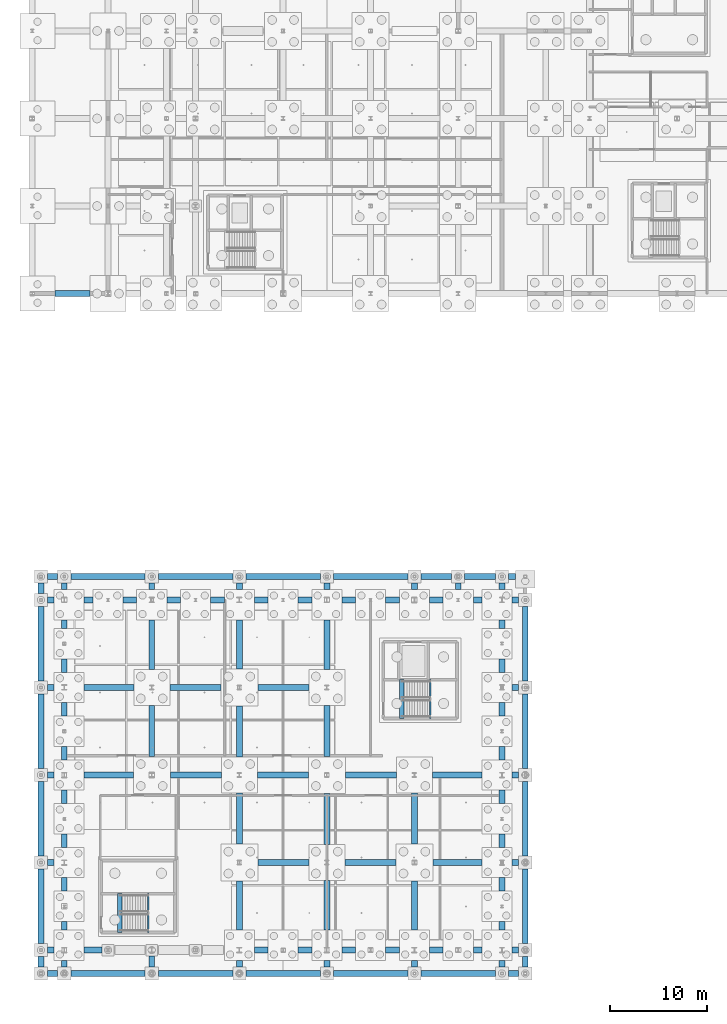
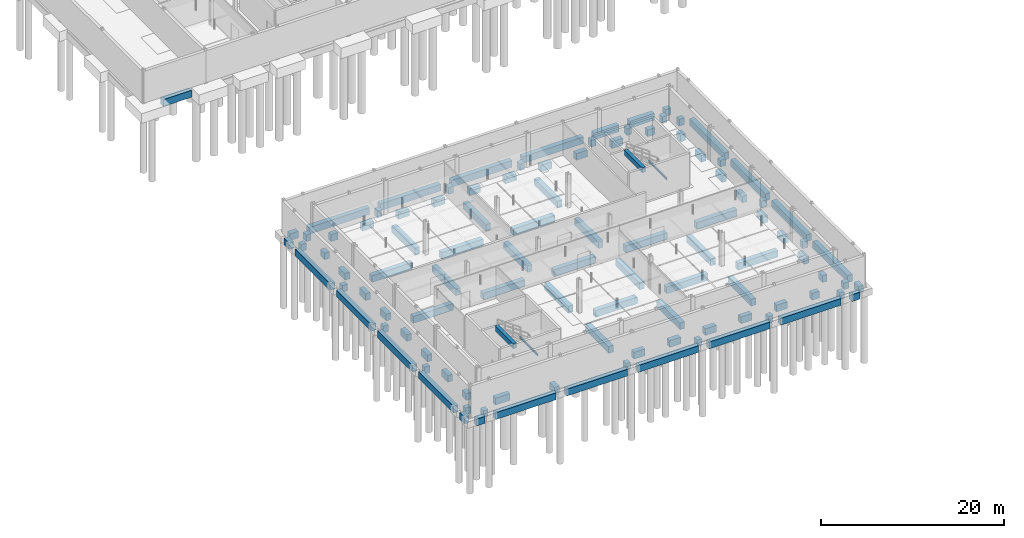
# One storey, part 18 of 48: 110 beams.
"""IFC4 building model written with IfcOpenShell, lengths in metres."""

from ifc_helpers import new_model, si_unit, direction, frame, origin, origin_2d, place, context, subcontext, project, spatial, rectangle, i_section, extrude, material, material_profile, profile_set, type_object, element, save


model = new_model("IFC4")

# Units and contexts
model_context = context("Model", 3, precision=1e-05, world=origin(), true_north=direction((0.0, 1.0)))
body_context = subcontext(model_context, "Body", "Model", "MODEL_VIEW")
ifc_project = project(units=[si_unit("LENGTHUNIT", "METRE"), si_unit("AREAUNIT", "SQUARE_METRE"), si_unit("VOLUMEUNIT", "CUBIC_METRE"), si_unit("PLANEANGLEUNIT", "RADIAN"), si_unit("MASSUNIT", "GRAM", prefix="KILO"), si_unit("THERMODYNAMICTEMPERATUREUNIT", "KELVIN"), si_unit("POWERUNIT", "WATT")], contexts=[model_context])

# Site, building, storey
site_placement = place(None, origin())
site = spatial("IfcSite", under=ifc_project, at=site_placement, CompositionType="ELEMENT")
building_placement = place(site_placement, origin())
building = spatial("IfcBuilding", under=site, at=building_placement, Name="Tallowbark Science Centre", CompositionType="ELEMENT")
storey_placement = place(building_placement, frame((0.0, 0.0, -4.5)))
storey = spatial("IfcBuildingStorey", under=building, at=storey_placement, Name="B1", CompositionType="ELEMENT", Elevation=-4.5)

# Beams
ifc_material_1 = material(Name="Concrete Grade N40 (40 MPa)", Category="concrete")
ifc_material_profile_1 = material_profile(ifc_material_1, rectangle(XDim=0.60009765625, YDim=0.89990234375, at=origin_2d()), Name="RC600x900")
ifc_profile_set_1 = profile_set([ifc_material_profile_1], Name="Concrete Grade N40 (40 MPa)")
beam_type_1 = type_object("IfcBeamType", Name="BM-GB-N40", PredefinedType="BEAM", material=ifc_profile_set_1)
beam_1_placement = place(storey_placement, frame((56.77490234375, 4.5, -0.75), z_axis=(1.0, 0.0, 0.0), x_axis=(0.0, 1.0, 0.0)))
element("IfcBeam", 1, at=beam_1_placement, inside=storey, type_object=beam_type_1, Name="Ground Tie Beam GB-X-1", PredefinedType="BEAM", context=body_context, shape_type="SweptSolid", body=[
    extrude(rectangle(XDim=0.60009765625, YDim=0.89990234375, at=origin_2d()), origin(), (0.0, 0.0, 1.0), 0.675048828125),
])
beam_2_placement = place(storey_placement, frame((60.550048828125, 4.5, -0.75), z_axis=(1.0, 0.0, 0.0), x_axis=(0.0, 1.0, 0.0)))
element("IfcBeam", 2, at=beam_2_placement, inside=storey, type_object=beam_type_1, Name="Ground Tie Beam GB-X-2", PredefinedType="BEAM", context=body_context, shape_type="SweptSolid", body=[
    extrude(rectangle(XDim=0.60009765625, YDim=0.89990234375, at=origin_2d()), origin(), (0.0, 0.0, 1.0), 1.849853515625),
])
for number, where, z_axis, x_axis, name in (
    (3, (78.050048828125, 4.5, -0.75), (1.0, 0.0, 0.0), (0.0, 1.0, 0.0), "Ground Tie Beam GB-X-3"),
    (4, (82.550048828125, 4.5, -0.75), (1.0, 0.0, 0.0), (0.0, 1.0, 0.0), "Ground Tie Beam GB-X-4"),
    (5, (87.050048828125, 4.5, -0.75), (1.0, 0.0, 0.0), (0.0, 1.0, 0.0), "Ground Tie Beam GB-X-5"),
    (6, (91.550048828125, 4.5, -0.75), (1.0, 0.0, 0.0), (0.0, 1.0, 0.0), "Ground Tie Beam GB-X-6"),
    (7, (96.050048828125, 4.5, -0.75), (1.0, 0.0, 0.0), (0.0, 1.0, 0.0), "Ground Tie Beam GB-X-7"),
):
    element("IfcBeam", number, at=place(storey_placement, frame(where, z_axis=z_axis, x_axis=x_axis)), inside=storey, type_object=beam_type_1, Name=name, PredefinedType="BEAM", context=body_context, shape_type="SweptSolid", body=[
        extrude(rectangle(XDim=0.60009765625, YDim=0.89990234375, at=origin_2d()), origin(), (0.0, 0.0, 1.0), 1.39990234375),
    ])
beam_3_placement = place(storey_placement, frame((100.550048828125, 4.5, -0.75), z_axis=(1.0, 0.0, 0.0), x_axis=(0.0, 1.0, 0.0)))
element("IfcBeam", 8, at=beam_3_placement, inside=storey, type_object=beam_type_1, Name="Ground Tie Beam GB-X-8", PredefinedType="BEAM", context=body_context, shape_type="SweptSolid", body=[
    extrude(rectangle(XDim=0.60009765625, YDim=0.89990234375, at=origin_2d()), origin(), (0.0, 0.0, 1.0), 0.89990234375),
])
for number, where, z_axis, x_axis, name in (
    (9, (104.550048828125, 4.5, -0.75), (1.0, 0.0, 0.0), (0.0, 1.0, 0.0), "Ground Tie Beam GB-X-9"),
    (10, (56.77490234375, 13.5, -0.75), (1.0, 0.0, 0.0), (0.0, 1.0, 0.0), "Ground Tie Beam GB-X-10"),
):
    element("IfcBeam", number, at=place(storey_placement, frame(where, z_axis=z_axis, x_axis=x_axis)), inside=storey, type_object=beam_type_1, Name=name, PredefinedType="BEAM", context=body_context, shape_type="SweptSolid", body=[
        extrude(rectangle(XDim=0.60009765625, YDim=0.89990234375, at=origin_2d()), origin(), (0.0, 0.0, 1.0), 0.675048828125),
    ])
for number, where, z_axis, x_axis, name in (
    (11, (78.39990234375, 13.5, -0.75), (1.0, 0.0, 0.0), (0.0, 1.0, 0.0), "Ground Tie Beam GB-X-11"),
    (12, (87.35009765625, 13.5, -0.75), (1.0, 0.0, 0.0), (0.0, 1.0, 0.0), "Ground Tie Beam GB-X-12"),
):
    element("IfcBeam", number, at=place(storey_placement, frame(where, z_axis=z_axis, x_axis=x_axis)), inside=storey, type_object=beam_type_1, Name=name, PredefinedType="BEAM", context=body_context, shape_type="SweptSolid", body=[
        extrude(rectangle(XDim=0.60009765625, YDim=0.89990234375, at=origin_2d()), origin(), (0.0, 0.0, 1.0), 5.25),
    ])
beam_4_placement = place(storey_placement, frame((96.39990234375, 13.5, -0.75), z_axis=(1.0, 0.0, 0.0), x_axis=(0.0, 1.0, 0.0)))
element("IfcBeam", 13, at=beam_4_placement, inside=storey, type_object=beam_type_1, Name="Ground Tie Beam GB-X-13", PredefinedType="BEAM", context=body_context, shape_type="SweptSolid", body=[
    extrude(rectangle(XDim=0.60009765625, YDim=0.89990234375, at=origin_2d()), origin(), (0.0, 0.0, 1.0), 5.050048828125),
])
for number, where, z_axis, x_axis, name in (
    (14, (104.550048828125, 13.5, -0.75), (1.0, 0.0, 0.0), (0.0, 1.0, 0.0), "Ground Tie Beam GB-X-14"),
    (15, (56.77490234375, 22.5, -0.75), (1.0, 0.0, 0.0), (0.0, 1.0, 0.0), "Ground Tie Beam GB-X-15"),
):
    element("IfcBeam", number, at=place(storey_placement, frame(where, z_axis=z_axis, x_axis=x_axis)), inside=storey, type_object=beam_type_1, Name=name, PredefinedType="BEAM", context=body_context, shape_type="SweptSolid", body=[
        extrude(rectangle(XDim=0.60009765625, YDim=0.89990234375, at=origin_2d()), origin(), (0.0, 0.0, 1.0), 0.675048828125),
    ])
beam_5_placement = place(storey_placement, frame((60.550048828125, 22.5, -0.75), z_axis=(1.0, 0.0, 0.0), x_axis=(0.0, 1.0, 0.0)))
element("IfcBeam", 16, at=beam_5_placement, inside=storey, type_object=beam_type_1, Name="Ground Tie Beam GB-X-16", PredefinedType="BEAM", context=body_context, shape_type="SweptSolid", body=[
    extrude(rectangle(XDim=0.60009765625, YDim=0.89990234375, at=origin_2d()), origin(), (0.0, 0.0, 1.0), 5.050048828125),
])
for number, where, z_axis, x_axis, name in (
    (17, (69.39990234375, 22.5, -0.75), (1.0, 0.0, 0.0), (0.0, 1.0, 0.0), "Ground Tie Beam GB-X-17"),
    (18, (78.35009765625, 22.5, -0.75), (1.0, 0.0, 0.0), (0.0, 1.0, 0.0), "Ground Tie Beam GB-X-18"),
    (19, (87.39990234375, 22.5, -0.75), (1.0, 0.0, 0.0), (0.0, 1.0, 0.0), "Ground Tie Beam GB-X-19"),
):
    element("IfcBeam", number, at=place(storey_placement, frame(where, z_axis=z_axis, x_axis=x_axis)), inside=storey, type_object=beam_type_1, Name=name, PredefinedType="BEAM", context=body_context, shape_type="SweptSolid", body=[
        extrude(rectangle(XDim=0.60009765625, YDim=0.89990234375, at=origin_2d()), origin(), (0.0, 0.0, 1.0), 5.25),
    ])
beam_6_placement = place(storey_placement, frame((96.35009765625, 22.5, -0.75), z_axis=(1.0, 0.0, 0.0), x_axis=(0.0, 1.0, 0.0)))
element("IfcBeam", 20, at=beam_6_placement, inside=storey, type_object=beam_type_1, Name="Ground Tie Beam GB-X-20", PredefinedType="BEAM", context=body_context, shape_type="SweptSolid", body=[
    extrude(rectangle(XDim=0.60009765625, YDim=0.89990234375, at=origin_2d()), origin(), (0.0, 0.0, 1.0), 5.099853515625),
])
for number, where, z_axis, x_axis, name in (
    (21, (104.550048828125, 22.5, -0.75), (1.0, 0.0, 0.0), (0.0, 1.0, 0.0), "Ground Tie Beam GB-X-21"),
    (22, (56.77490234375, 31.5, -0.75), (1.0, 0.0, 0.0), (0.0, 1.0, 0.0), "Ground Tie Beam GB-X-22"),
):
    element("IfcBeam", number, at=place(storey_placement, frame(where, z_axis=z_axis, x_axis=x_axis)), inside=storey, type_object=beam_type_1, Name=name, PredefinedType="BEAM", context=body_context, shape_type="SweptSolid", body=[
        extrude(rectangle(XDim=0.60009765625, YDim=0.89990234375, at=origin_2d()), origin(), (0.0, 0.0, 1.0), 0.675048828125),
    ])
beam_7_placement = place(storey_placement, frame((60.550048828125, 31.5, -0.75), z_axis=(1.0, 0.0, 0.0), x_axis=(0.0, 1.0, 0.0)))
element("IfcBeam", 23, at=beam_7_placement, inside=storey, type_object=beam_type_1, Name="Ground Tie Beam GB-X-23", PredefinedType="BEAM", context=body_context, shape_type="SweptSolid", body=[
    extrude(rectangle(XDim=0.60009765625, YDim=0.89990234375, at=origin_2d()), origin(), (0.0, 0.0, 1.0), 5.099853515625),
])
for number, where, z_axis, x_axis, name in (
    (24, (69.35009765625, 31.5, -0.75), (1.0, 0.0, 0.0), (0.0, 1.0, 0.0), "Ground Tie Beam GB-X-24"),
    (25, (78.39990234375, 31.5, -0.75), (1.0, 0.0, 0.0), (0.0, 1.0, 0.0), "Ground Tie Beam GB-X-25"),
):
    element("IfcBeam", number, at=place(storey_placement, frame(where, z_axis=z_axis, x_axis=x_axis)), inside=storey, type_object=beam_type_1, Name=name, PredefinedType="BEAM", context=body_context, shape_type="SweptSolid", body=[
        extrude(rectangle(XDim=0.60009765625, YDim=0.89990234375, at=origin_2d()), origin(), (0.0, 0.0, 1.0), 5.25),
    ])
for number, where, z_axis, x_axis, name in (
    (26, (104.550048828125, 31.5, -0.75), (1.0, 0.0, 0.0), (0.0, 1.0, 0.0), "Ground Tie Beam GB-X-26"),
    (27, (56.77490234375, 40.5, -0.75), (1.0, 0.0, 0.0), (0.0, 1.0, 0.0), "Ground Tie Beam GB-X-27"),
):
    element("IfcBeam", number, at=place(storey_placement, frame(where, z_axis=z_axis, x_axis=x_axis)), inside=storey, type_object=beam_type_1, Name=name, PredefinedType="BEAM", context=body_context, shape_type="SweptSolid", body=[
        extrude(rectangle(XDim=0.60009765625, YDim=0.89990234375, at=origin_2d()), origin(), (0.0, 0.0, 1.0), 0.675048828125),
    ])
beam_8_placement = place(storey_placement, frame((60.550048828125, 40.5, -0.75), z_axis=(1.0, 0.0, 0.0), x_axis=(0.0, 1.0, 0.0)))
element("IfcBeam", 28, at=beam_8_placement, inside=storey, type_object=beam_type_1, Name="Ground Tie Beam GB-X-28", PredefinedType="BEAM", context=body_context, shape_type="SweptSolid", body=[
    extrude(rectangle(XDim=0.60009765625, YDim=0.89990234375, at=origin_2d()), origin(), (0.0, 0.0, 1.0), 0.89990234375),
])
for number, where, z_axis, x_axis, name in (
    (29, (64.550048828125, 40.5, -0.75), (1.0, 0.0, 0.0), (0.0, 1.0, 0.0), "Ground Tie Beam GB-X-29"),
    (30, (69.050048828125, 40.5, -0.75), (1.0, 0.0, 0.0), (0.0, 1.0, 0.0), "Ground Tie Beam GB-X-30"),
    (31, (73.550048828125, 40.5, -0.75), (1.0, 0.0, 0.0), (0.0, 1.0, 0.0), "Ground Tie Beam GB-X-31"),
    (32, (78.050048828125, 40.5, -0.75), (1.0, 0.0, 0.0), (0.0, 1.0, 0.0), "Ground Tie Beam GB-X-32"),
    (33, (82.550048828125, 40.5, -0.75), (1.0, 0.0, 0.0), (0.0, 1.0, 0.0), "Ground Tie Beam GB-X-33"),
    (34, (87.050048828125, 40.5, -0.75), (1.0, 0.0, 0.0), (0.0, 1.0, 0.0), "Ground Tie Beam GB-X-34"),
    (35, (91.550048828125, 40.5, -0.75), (1.0, 0.0, 0.0), (0.0, 1.0, 0.0), "Ground Tie Beam GB-X-35"),
    (36, (96.050048828125, 40.5, -0.75), (1.0, 0.0, 0.0), (0.0, 1.0, 0.0), "Ground Tie Beam GB-X-36"),
):
    element("IfcBeam", number, at=place(storey_placement, frame(where, z_axis=z_axis, x_axis=x_axis)), inside=storey, type_object=beam_type_1, Name=name, PredefinedType="BEAM", context=body_context, shape_type="SweptSolid", body=[
        extrude(rectangle(XDim=0.60009765625, YDim=0.89990234375, at=origin_2d()), origin(), (0.0, 0.0, 1.0), 1.39990234375),
    ])
beam_9_placement = place(storey_placement, frame((100.550048828125, 40.5, -0.75), z_axis=(1.0, 0.0, 0.0), x_axis=(0.0, 1.0, 0.0)))
element("IfcBeam", 37, at=beam_9_placement, inside=storey, type_object=beam_type_1, Name="Ground Tie Beam GB-X-37", PredefinedType="BEAM", context=body_context, shape_type="SweptSolid", body=[
    extrude(rectangle(XDim=0.60009765625, YDim=0.89990234375, at=origin_2d()), origin(), (0.0, 0.0, 1.0), 0.89990234375),
])
beam_10_placement = place(storey_placement, frame((104.550048828125, 40.5, -0.75), z_axis=(1.0, 0.0, 0.0), x_axis=(0.0, 1.0, 0.0)))
element("IfcBeam", 38, at=beam_10_placement, inside=storey, type_object=beam_type_1, Name="Ground Tie Beam GB-X-38", PredefinedType="BEAM", context=body_context, shape_type="SweptSolid", body=[
    extrude(rectangle(XDim=0.60009765625, YDim=0.89990234375, at=origin_2d()), origin(), (0.0, 0.0, 1.0), 0.675048828125),
])
beam_11_placement = place(storey_placement, frame((56.77490234375, 2.10009765625, -0.75), z_axis=(1.0, 0.0, 0.0), x_axis=(0.0, 1.0, 0.0)))
element("IfcBeam", 39, at=beam_11_placement, inside=storey, type_object=beam_type_1, Name="Ground Tie Beam GB-X-39", PredefinedType="BEAM", context=body_context, shape_type="SweptSolid", body=[
    extrude(rectangle(XDim=0.60009765625, YDim=0.89990234375, at=origin_2d()), origin(), (0.0, 0.0, 1.0), 1.050048828125),
])
for number, where, z_axis, x_axis, name in (
    (40, (59.175048828125, 2.10009765625, -0.75), (1.0, 0.0, 0.0), (0.0, 1.0, 0.0), "Ground Tie Beam GB-X-40"),
    (41, (68.175048828125, 2.10009765625, -0.75), (1.0, 0.0, 0.0), (0.0, 1.0, 0.0), "Ground Tie Beam GB-X-41"),
    (42, (77.175048828125, 2.10009765625, -0.75), (1.0, 0.0, 0.0), (0.0, 1.0, 0.0), "Ground Tie Beam GB-X-42"),
    (43, (86.175048828125, 2.10009765625, -0.75), (1.0, 0.0, 0.0), (0.0, 1.0, 0.0), "Ground Tie Beam GB-X-43"),
    (44, (95.175048828125, 2.10009765625, -0.75), (1.0, 0.0, 0.0), (0.0, 1.0, 0.0), "Ground Tie Beam GB-X-44"),
):
    element("IfcBeam", number, at=place(storey_placement, frame(where, z_axis=z_axis, x_axis=x_axis)), inside=storey, type_object=beam_type_1, Name=name, PredefinedType="BEAM", context=body_context, shape_type="SweptSolid", body=[
        extrude(rectangle(XDim=0.60009765625, YDim=0.89990234375, at=origin_2d()), origin(), (0.0, 0.0, 1.0), 7.64990234375),
    ])
for number, where, z_axis, x_axis, name in (
    (45, (104.175048828125, 2.10009765625, -0.75), (1.0, 0.0, 0.0), (0.0, 1.0, 0.0), "Ground Tie Beam GB-X-45"),
    (46, (56.77490234375, 42.89990234375, -0.75), (1.0, 0.0, 0.0), (0.0, 1.0, 0.0), "Ground Tie Beam GB-X-46"),
):
    element("IfcBeam", number, at=place(storey_placement, frame(where, z_axis=z_axis, x_axis=x_axis)), inside=storey, type_object=beam_type_1, Name=name, PredefinedType="BEAM", context=body_context, shape_type="SweptSolid", body=[
        extrude(rectangle(XDim=0.60009765625, YDim=0.89990234375, at=origin_2d()), origin(), (0.0, 0.0, 1.0), 1.050048828125),
    ])
for number, where, z_axis, x_axis, name in (
    (47, (59.175048828125, 42.89990234375, -0.75), (1.0, 0.0, 0.0), (0.0, 1.0, 0.0), "Ground Tie Beam GB-X-47"),
    (48, (68.175048828125, 42.89990234375, -0.75), (1.0, 0.0, 0.0), (0.0, 1.0, 0.0), "Ground Tie Beam GB-X-48"),
    (49, (77.175048828125, 42.89990234375, -0.75), (1.0, 0.0, 0.0), (0.0, 1.0, 0.0), "Ground Tie Beam GB-X-49"),
    (50, (86.175048828125, 42.89990234375, -0.75), (1.0, 0.0, 0.0), (0.0, 1.0, 0.0), "Ground Tie Beam GB-X-50"),
):
    element("IfcBeam", number, at=place(storey_placement, frame(where, z_axis=z_axis, x_axis=x_axis)), inside=storey, type_object=beam_type_1, Name=name, PredefinedType="BEAM", context=body_context, shape_type="SweptSolid", body=[
        extrude(rectangle(XDim=0.60009765625, YDim=0.89990234375, at=origin_2d()), origin(), (0.0, 0.0, 1.0), 7.64990234375),
    ])
for number, where, z_axis, x_axis, name in (
    (51, (95.175048828125, 42.89990234375, -0.75), (1.0, 0.0, 0.0), (0.0, 1.0, 0.0), "Ground Tie Beam GB-X-51"),
    (52, (99.675048828125, 42.89990234375, -0.75), (1.0, 0.0, 0.0), (0.0, 1.0, 0.0), "Ground Tie Beam GB-X-52"),
):
    element("IfcBeam", number, at=place(storey_placement, frame(where, z_axis=z_axis, x_axis=x_axis)), inside=storey, type_object=beam_type_1, Name=name, PredefinedType="BEAM", context=body_context, shape_type="SweptSolid", body=[
        extrude(rectangle(XDim=0.60009765625, YDim=0.89990234375, at=origin_2d()), origin(), (0.0, 0.0, 1.0), 3.14990234375),
    ])
beam_12_placement = place(storey_placement, frame((104.175048828125, 42.89990234375, -0.75), z_axis=(1.0, 0.0, 0.0), x_axis=(0.0, 1.0, 0.0)))
element("IfcBeam", 53, at=beam_12_placement, inside=storey, type_object=beam_type_1, Name="Ground Tie Beam GB-X-53", PredefinedType="BEAM", context=body_context, shape_type="SweptSolid", body=[
    extrude(rectangle(XDim=0.60009765625, YDim=0.89990234375, at=origin_2d()), origin(), (0.0, 0.0, 1.0), 0.724853515625),
])
beam_13_placement = place(storey_placement, frame((57.550048828125, 72.0, -0.75), z_axis=(1.0, 0.0, 0.0), x_axis=(0.0, 1.0, 0.0)))
element("IfcBeam", 54, at=beam_13_placement, inside=storey, type_object=beam_type_1, Name="Ground Tie Beam GB-X-54", PredefinedType="BEAM", context=body_context, shape_type="SweptSolid", body=[
    extrude(rectangle(XDim=0.60009765625, YDim=0.89990234375, at=origin_2d()), origin(), (0.0, 0.0, 1.0), 3.599853515625),
])
beam_14_placement = place(storey_placement, frame((58.5, 2.77490234375, -0.75), z_axis=(0.0, 1.0, 0.0), x_axis=(-1.0, 0.0, 0.0)))
element("IfcBeam", 55, at=beam_14_placement, inside=storey, type_object=beam_type_1, Name="Ground Tie Beam GB-Y-124", PredefinedType="BEAM", context=body_context, shape_type="SweptSolid", body=[
    extrude(rectangle(XDim=0.60009765625, YDim=0.89990234375, at=origin_2d()), origin(), (0.0, 0.0, 1.0), 0.675048828125),
])
beam_15_placement = place(storey_placement, frame((58.5, 6.550048828125, -0.75), z_axis=(0.0, 1.0, 0.0), x_axis=(-1.0, 0.0, 0.0)))
element("IfcBeam", 56, at=beam_15_placement, inside=storey, type_object=beam_type_1, Name="Ground Tie Beam GB-Y-125", PredefinedType="BEAM", context=body_context, shape_type="SweptSolid", body=[
    extrude(rectangle(XDim=0.60009765625, YDim=0.89990234375, at=origin_2d()), origin(), (0.0, 0.0, 1.0), 0.89990234375),
])
for number, where, z_axis, x_axis, name in (
    (57, (58.5, 10.550048828125, -0.75), (0.0, 1.0, 0.0), (-1.0, 0.0, 0.0), "Ground Tie Beam GB-Y-126"),
    (58, (58.5, 15.050048828125, -0.75), (0.0, 1.0, 0.0), (-1.0, 0.0, 0.0), "Ground Tie Beam GB-Y-127"),
    (59, (58.5, 19.550048828125, -0.75), (0.0, 1.0, 0.0), (-1.0, 0.0, 0.0), "Ground Tie Beam GB-Y-128"),
    (60, (58.5, 24.050048828125, -0.75), (0.0, 1.0, 0.0), (-1.0, 0.0, 0.0), "Ground Tie Beam GB-Y-129"),
    (61, (58.5, 28.550048828125, -0.75), (0.0, 1.0, 0.0), (-1.0, 0.0, 0.0), "Ground Tie Beam GB-Y-130"),
    (62, (58.5, 33.050048828125, -0.75), (0.0, 1.0, 0.0), (-1.0, 0.0, 0.0), "Ground Tie Beam GB-Y-131"),
):
    element("IfcBeam", number, at=place(storey_placement, frame(where, z_axis=z_axis, x_axis=x_axis)), inside=storey, type_object=beam_type_1, Name=name, PredefinedType="BEAM", context=body_context, shape_type="SweptSolid", body=[
        extrude(rectangle(XDim=0.60009765625, YDim=0.89990234375, at=origin_2d()), origin(), (0.0, 0.0, 1.0), 1.39990234375),
    ])
beam_16_placement = place(storey_placement, frame((58.5, 37.550048828125, -0.75), z_axis=(0.0, 1.0, 0.0), x_axis=(-1.0, 0.0, 0.0)))
element("IfcBeam", 63, at=beam_16_placement, inside=storey, type_object=beam_type_1, Name="Ground Tie Beam GB-Y-132", PredefinedType="BEAM", context=body_context, shape_type="SweptSolid", body=[
    extrude(rectangle(XDim=0.60009765625, YDim=0.89990234375, at=origin_2d()), origin(), (0.0, 0.0, 1.0), 0.89990234375),
])
beam_17_placement = place(storey_placement, frame((58.5, 41.550048828125, -0.75), z_axis=(0.0, 1.0, 0.0), x_axis=(-1.0, 0.0, 0.0)))
element("IfcBeam", 64, at=beam_17_placement, inside=storey, type_object=beam_type_1, Name="Ground Tie Beam GB-Y-133", PredefinedType="BEAM", context=body_context, shape_type="SweptSolid", body=[
    extrude(rectangle(XDim=0.60009765625, YDim=0.89990234375, at=origin_2d()), origin(), (0.0, 0.0, 1.0), 0.675048828125),
])
beam_18_placement = place(storey_placement, frame((67.5, 2.77490234375, -0.75), z_axis=(0.0, 1.0, 0.0), x_axis=(-1.0, 0.0, 0.0)))
element("IfcBeam", 65, at=beam_18_placement, inside=storey, type_object=beam_type_1, Name="Ground Tie Beam GB-Y-134", PredefinedType="BEAM", context=body_context, shape_type="SweptSolid", body=[
    extrude(rectangle(XDim=0.60009765625, YDim=0.89990234375, at=origin_2d()), origin(), (0.0, 0.0, 1.0), 1.125),
])
beam_19_placement = place(storey_placement, frame((67.5, 24.39990234375, -0.75), z_axis=(0.0, 1.0, 0.0), x_axis=(-1.0, 0.0, 0.0)))
element("IfcBeam", 66, at=beam_19_placement, inside=storey, type_object=beam_type_1, Name="Ground Tie Beam GB-Y-135", PredefinedType="BEAM", context=body_context, shape_type="SweptSolid", body=[
    extrude(rectangle(XDim=0.60009765625, YDim=0.89990234375, at=origin_2d()), origin(), (0.0, 0.0, 1.0), 5.25),
])
beam_20_placement = place(storey_placement, frame((67.5, 33.35009765625, -0.75), z_axis=(0.0, 1.0, 0.0), x_axis=(-1.0, 0.0, 0.0)))
element("IfcBeam", 67, at=beam_20_placement, inside=storey, type_object=beam_type_1, Name="Ground Tie Beam GB-Y-136", PredefinedType="BEAM", context=body_context, shape_type="SweptSolid", body=[
    extrude(rectangle(XDim=0.60009765625, YDim=0.89990234375, at=origin_2d()), origin(), (0.0, 0.0, 1.0), 5.099853515625),
])
for number, where, z_axis, x_axis, name in (
    (68, (67.5, 41.550048828125, -0.75), (0.0, 1.0, 0.0), (-1.0, 0.0, 0.0), "Ground Tie Beam GB-Y-137"),
    (69, (76.5, 2.77490234375, -0.75), (0.0, 1.0, 0.0), (-1.0, 0.0, 0.0), "Ground Tie Beam GB-Y-138"),
):
    element("IfcBeam", number, at=place(storey_placement, frame(where, z_axis=z_axis, x_axis=x_axis)), inside=storey, type_object=beam_type_1, Name=name, PredefinedType="BEAM", context=body_context, shape_type="SweptSolid", body=[
        extrude(rectangle(XDim=0.60009765625, YDim=0.89990234375, at=origin_2d()), origin(), (0.0, 0.0, 1.0), 0.675048828125),
    ])
beam_21_placement = place(storey_placement, frame((76.5, 6.550048828125, -0.75), z_axis=(0.0, 1.0, 0.0), x_axis=(-1.0, 0.0, 0.0)))
element("IfcBeam", 70, at=beam_21_placement, inside=storey, type_object=beam_type_1, Name="Ground Tie Beam GB-Y-139", PredefinedType="BEAM", context=body_context, shape_type="SweptSolid", body=[
    extrude(rectangle(XDim=0.60009765625, YDim=0.89990234375, at=origin_2d()), origin(), (0.0, 0.0, 1.0), 5.050048828125),
])
for number, where, z_axis, x_axis, name in (
    (71, (76.5, 15.39990234375, -0.75), (0.0, 1.0, 0.0), (-1.0, 0.0, 0.0), "Ground Tie Beam GB-Y-140"),
    (72, (76.5, 24.35009765625, -0.75), (0.0, 1.0, 0.0), (-1.0, 0.0, 0.0), "Ground Tie Beam GB-Y-141"),
):
    element("IfcBeam", number, at=place(storey_placement, frame(where, z_axis=z_axis, x_axis=x_axis)), inside=storey, type_object=beam_type_1, Name=name, PredefinedType="BEAM", context=body_context, shape_type="SweptSolid", body=[
        extrude(rectangle(XDim=0.60009765625, YDim=0.89990234375, at=origin_2d()), origin(), (0.0, 0.0, 1.0), 5.25),
    ])
beam_22_placement = place(storey_placement, frame((76.5, 33.39990234375, -0.75), z_axis=(0.0, 1.0, 0.0), x_axis=(-1.0, 0.0, 0.0)))
element("IfcBeam", 73, at=beam_22_placement, inside=storey, type_object=beam_type_1, Name="Ground Tie Beam GB-Y-142", PredefinedType="BEAM", context=body_context, shape_type="SweptSolid", body=[
    extrude(rectangle(XDim=0.60009765625, YDim=0.89990234375, at=origin_2d()), origin(), (0.0, 0.0, 1.0), 5.050048828125),
])
for number, where, z_axis, x_axis, name in (
    (74, (76.5, 41.550048828125, -0.75), (0.0, 1.0, 0.0), (-1.0, 0.0, 0.0), "Ground Tie Beam GB-Y-143"),
    (75, (85.5, 2.77490234375, -0.75), (0.0, 1.0, 0.0), (-1.0, 0.0, 0.0), "Ground Tie Beam GB-Y-144"),
):
    element("IfcBeam", number, at=place(storey_placement, frame(where, z_axis=z_axis, x_axis=x_axis)), inside=storey, type_object=beam_type_1, Name=name, PredefinedType="BEAM", context=body_context, shape_type="SweptSolid", body=[
        extrude(rectangle(XDim=0.60009765625, YDim=0.89990234375, at=origin_2d()), origin(), (0.0, 0.0, 1.0), 0.675048828125),
    ])
beam_23_placement = place(storey_placement, frame((85.5, 6.550048828125, -0.75), z_axis=(0.0, 1.0, 0.0), x_axis=(-1.0, 0.0, 0.0)))
element("IfcBeam", 76, at=beam_23_placement, inside=storey, type_object=beam_type_1, Name="Ground Tie Beam GB-Y-145", PredefinedType="BEAM", context=body_context, shape_type="SweptSolid", body=[
    extrude(rectangle(XDim=0.60009765625, YDim=0.89990234375, at=origin_2d()), origin(), (0.0, 0.0, 1.0), 5.099853515625),
])
for number, where, z_axis, x_axis, name in (
    (77, (85.5, 15.35009765625, -0.75), (0.0, 1.0, 0.0), (-1.0, 0.0, 0.0), "Ground Tie Beam GB-Y-146"),
    (78, (85.5, 24.39990234375, -0.75), (0.0, 1.0, 0.0), (-1.0, 0.0, 0.0), "Ground Tie Beam GB-Y-147"),
):
    element("IfcBeam", number, at=place(storey_placement, frame(where, z_axis=z_axis, x_axis=x_axis)), inside=storey, type_object=beam_type_1, Name=name, PredefinedType="BEAM", context=body_context, shape_type="SweptSolid", body=[
        extrude(rectangle(XDim=0.60009765625, YDim=0.89990234375, at=origin_2d()), origin(), (0.0, 0.0, 1.0), 5.25),
    ])
beam_24_placement = place(storey_placement, frame((85.5, 33.35009765625, -0.75), z_axis=(0.0, 1.0, 0.0), x_axis=(-1.0, 0.0, 0.0)))
element("IfcBeam", 79, at=beam_24_placement, inside=storey, type_object=beam_type_1, Name="Ground Tie Beam GB-Y-148", PredefinedType="BEAM", context=body_context, shape_type="SweptSolid", body=[
    extrude(rectangle(XDim=0.60009765625, YDim=0.89990234375, at=origin_2d()), origin(), (0.0, 0.0, 1.0), 5.099853515625),
])
for number, where, z_axis, x_axis, name in (
    (80, (85.5, 41.550048828125, -0.75), (0.0, 1.0, 0.0), (-1.0, 0.0, 0.0), "Ground Tie Beam GB-Y-149"),
    (81, (94.5, 2.77490234375, -0.75), (0.0, 1.0, 0.0), (-1.0, 0.0, 0.0), "Ground Tie Beam GB-Y-150"),
):
    element("IfcBeam", number, at=place(storey_placement, frame(where, z_axis=z_axis, x_axis=x_axis)), inside=storey, type_object=beam_type_1, Name=name, PredefinedType="BEAM", context=body_context, shape_type="SweptSolid", body=[
        extrude(rectangle(XDim=0.60009765625, YDim=0.89990234375, at=origin_2d()), origin(), (0.0, 0.0, 1.0), 0.675048828125),
    ])
beam_25_placement = place(storey_placement, frame((94.5, 6.550048828125, -0.75), z_axis=(0.0, 1.0, 0.0), x_axis=(-1.0, 0.0, 0.0)))
element("IfcBeam", 82, at=beam_25_placement, inside=storey, type_object=beam_type_1, Name="Ground Tie Beam GB-Y-151", PredefinedType="BEAM", context=body_context, shape_type="SweptSolid", body=[
    extrude(rectangle(XDim=0.60009765625, YDim=0.89990234375, at=origin_2d()), origin(), (0.0, 0.0, 1.0), 5.050048828125),
])
beam_26_placement = place(storey_placement, frame((94.5, 15.39990234375, -0.75), z_axis=(0.0, 1.0, 0.0), x_axis=(-1.0, 0.0, 0.0)))
element("IfcBeam", 83, at=beam_26_placement, inside=storey, type_object=beam_type_1, Name="Ground Tie Beam GB-Y-152", PredefinedType="BEAM", context=body_context, shape_type="SweptSolid", body=[
    extrude(rectangle(XDim=0.60009765625, YDim=0.89990234375, at=origin_2d()), origin(), (0.0, 0.0, 1.0), 5.25),
])
for number, where, z_axis, x_axis, name in (
    (84, (94.5, 41.550048828125, -0.75), (0.0, 1.0, 0.0), (-1.0, 0.0, 0.0), "Ground Tie Beam GB-Y-153"),
    (85, (103.5, 2.77490234375, -0.75), (0.0, 1.0, 0.0), (-1.0, 0.0, 0.0), "Ground Tie Beam GB-Y-154"),
):
    element("IfcBeam", number, at=place(storey_placement, frame(where, z_axis=z_axis, x_axis=x_axis)), inside=storey, type_object=beam_type_1, Name=name, PredefinedType="BEAM", context=body_context, shape_type="SweptSolid", body=[
        extrude(rectangle(XDim=0.60009765625, YDim=0.89990234375, at=origin_2d()), origin(), (0.0, 0.0, 1.0), 0.675048828125),
    ])
beam_27_placement = place(storey_placement, frame((103.5, 6.550048828125, -0.75), z_axis=(0.0, 1.0, 0.0), x_axis=(-1.0, 0.0, 0.0)))
element("IfcBeam", 86, at=beam_27_placement, inside=storey, type_object=beam_type_1, Name="Ground Tie Beam GB-Y-155", PredefinedType="BEAM", context=body_context, shape_type="SweptSolid", body=[
    extrude(rectangle(XDim=0.60009765625, YDim=0.89990234375, at=origin_2d()), origin(), (0.0, 0.0, 1.0), 0.89990234375),
])
for number, where, z_axis, x_axis, name in (
    (87, (103.5, 10.550048828125, -0.75), (0.0, 1.0, 0.0), (-1.0, 0.0, 0.0), "Ground Tie Beam GB-Y-156"),
    (88, (103.5, 15.050048828125, -0.75), (0.0, 1.0, 0.0), (-1.0, 0.0, 0.0), "Ground Tie Beam GB-Y-157"),
    (89, (103.5, 19.550048828125, -0.75), (0.0, 1.0, 0.0), (-1.0, 0.0, 0.0), "Ground Tie Beam GB-Y-158"),
    (90, (103.5, 24.050048828125, -0.75), (0.0, 1.0, 0.0), (-1.0, 0.0, 0.0), "Ground Tie Beam GB-Y-159"),
    (91, (103.5, 28.550048828125, -0.75), (0.0, 1.0, 0.0), (-1.0, 0.0, 0.0), "Ground Tie Beam GB-Y-160"),
    (92, (103.5, 33.050048828125, -0.75), (0.0, 1.0, 0.0), (-1.0, 0.0, 0.0), "Ground Tie Beam GB-Y-161"),
):
    element("IfcBeam", number, at=place(storey_placement, frame(where, z_axis=z_axis, x_axis=x_axis)), inside=storey, type_object=beam_type_1, Name=name, PredefinedType="BEAM", context=body_context, shape_type="SweptSolid", body=[
        extrude(rectangle(XDim=0.60009765625, YDim=0.89990234375, at=origin_2d()), origin(), (0.0, 0.0, 1.0), 1.39990234375),
    ])
beam_28_placement = place(storey_placement, frame((103.5, 37.550048828125, -0.75), z_axis=(0.0, 1.0, 0.0), x_axis=(-1.0, 0.0, 0.0)))
element("IfcBeam", 93, at=beam_28_placement, inside=storey, type_object=beam_type_1, Name="Ground Tie Beam GB-Y-162", PredefinedType="BEAM", context=body_context, shape_type="SweptSolid", body=[
    extrude(rectangle(XDim=0.60009765625, YDim=0.89990234375, at=origin_2d()), origin(), (0.0, 0.0, 1.0), 0.89990234375),
])
for number, where, z_axis, x_axis, name in (
    (94, (103.5, 41.550048828125, -0.75), (0.0, 1.0, 0.0), (-1.0, 0.0, 0.0), "Ground Tie Beam GB-Y-163"),
    (95, (99.0, 41.550048828125, -0.75), (0.0, 1.0, 0.0), (-1.0, 0.0, 0.0), "Ground Tie Beam GB-Y-182"),
):
    element("IfcBeam", number, at=place(storey_placement, frame(where, z_axis=z_axis, x_axis=x_axis)), inside=storey, type_object=beam_type_1, Name=name, PredefinedType="BEAM", context=body_context, shape_type="SweptSolid", body=[
        extrude(rectangle(XDim=0.60009765625, YDim=0.89990234375, at=origin_2d()), origin(), (0.0, 0.0, 1.0), 0.675048828125),
    ])
beam_29_placement = place(storey_placement, frame((56.10009765625, 2.77490234375, -0.75), z_axis=(0.0, 1.0, 0.0), x_axis=(-1.0, 0.0, 0.0)))
element("IfcBeam", 96, at=beam_29_placement, inside=storey, type_object=beam_type_1, Name="Ground Tie Beam GB-Y-188", PredefinedType="BEAM", context=body_context, shape_type="SweptSolid", body=[
    extrude(rectangle(XDim=0.60009765625, YDim=0.89990234375, at=origin_2d()), origin(), (0.0, 0.0, 1.0), 1.050048828125),
])
for number, where, z_axis, x_axis, name in (
    (97, (56.10009765625, 5.175048828125, -0.75), (0.0, 1.0, 0.0), (-1.0, 0.0, 0.0), "Ground Tie Beam GB-Y-189"),
    (98, (56.10009765625, 14.175048828125, -0.75), (0.0, 1.0, 0.0), (-1.0, 0.0, 0.0), "Ground Tie Beam GB-Y-190"),
    (99, (56.10009765625, 23.175048828125, -0.75), (0.0, 1.0, 0.0), (-1.0, 0.0, 0.0), "Ground Tie Beam GB-Y-191"),
    (100, (56.10009765625, 32.175048828125, -0.75), (0.0, 1.0, 0.0), (-1.0, 0.0, 0.0), "Ground Tie Beam GB-Y-192"),
):
    element("IfcBeam", number, at=place(storey_placement, frame(where, z_axis=z_axis, x_axis=x_axis)), inside=storey, type_object=beam_type_1, Name=name, PredefinedType="BEAM", context=body_context, shape_type="SweptSolid", body=[
        extrude(rectangle(XDim=0.60009765625, YDim=0.89990234375, at=origin_2d()), origin(), (0.0, 0.0, 1.0), 7.64990234375),
    ])
for number, where, z_axis, x_axis, name in (
    (101, (56.10009765625, 41.175048828125, -0.75), (0.0, 1.0, 0.0), (-1.0, 0.0, 0.0), "Ground Tie Beam GB-Y-193"),
    (102, (105.89990234375, 2.77490234375, -0.75), (0.0, 1.0, 0.0), (-1.0, 0.0, 0.0), "Ground Tie Beam GB-Y-194"),
):
    element("IfcBeam", number, at=place(storey_placement, frame(where, z_axis=z_axis, x_axis=x_axis)), inside=storey, type_object=beam_type_1, Name=name, PredefinedType="BEAM", context=body_context, shape_type="SweptSolid", body=[
        extrude(rectangle(XDim=0.60009765625, YDim=0.89990234375, at=origin_2d()), origin(), (0.0, 0.0, 1.0), 1.050048828125),
    ])
for number, where, z_axis, x_axis, name in (
    (103, (105.89990234375, 5.175048828125, -0.75), (0.0, 1.0, 0.0), (-1.0, 0.0, 0.0), "Ground Tie Beam GB-Y-195"),
    (104, (105.89990234375, 14.175048828125, -0.75), (0.0, 1.0, 0.0), (-1.0, 0.0, 0.0), "Ground Tie Beam GB-Y-196"),
    (105, (105.89990234375, 23.175048828125, -0.75), (0.0, 1.0, 0.0), (-1.0, 0.0, 0.0), "Ground Tie Beam GB-Y-197"),
    (106, (105.89990234375, 32.175048828125, -0.75), (0.0, 1.0, 0.0), (-1.0, 0.0, 0.0), "Ground Tie Beam GB-Y-198"),
):
    element("IfcBeam", number, at=place(storey_placement, frame(where, z_axis=z_axis, x_axis=x_axis)), inside=storey, type_object=beam_type_1, Name=name, PredefinedType="BEAM", context=body_context, shape_type="SweptSolid", body=[
        extrude(rectangle(XDim=0.60009765625, YDim=0.89990234375, at=origin_2d()), origin(), (0.0, 0.0, 1.0), 7.64990234375),
    ])
ifc_material_profile_2 = material_profile(ifc_material_1, rectangle(XDim=0.449951171875, YDim=0.64990234375, at=origin_2d()), Name="RC450x650")
ifc_profile_set_2 = profile_set([ifc_material_profile_2], Name="Concrete Grade N40 (40 MPa)")
beam_type_2 = type_object("IfcBeamType", Name="BM-GB2-N40", PredefinedType="BEAM", material=ifc_profile_set_2)
for number, where, z_axis, x_axis, name in (
    (107, (93.2099609375, 28.300048828125, 4.175048828125), (0.0, 1.0, 0.0), (-1.0, 0.0, 0.0), "Stair ST-03 Landing Nosing Beam B1"),
    (108, (64.2099609375, 6.300048828125, 4.175048828125), (0.0, 1.0, 0.0), (-1.0, 0.0, 0.0), "Stair ST-07 Landing Nosing Beam B1"),
):
    element("IfcBeam", number, at=place(storey_placement, frame(where, z_axis=z_axis, x_axis=x_axis)), inside=storey, type_object=beam_type_2, Name=name, PredefinedType="BEAM", context=body_context, shape_type="SweptSolid", body=[
        extrude(rectangle(XDim=0.449951171875, YDim=0.64990234375, at=origin_2d()), origin(), (0.0, 0.0, 1.0), 3.994873046875),
    ])
ifc_material_2 = material(Name="Structural Steel Grade 300PLUS (300 MPa)", Category="steel")
ifc_material_profile_3 = material_profile(ifc_material_2, i_section(OverallWidth=0.146484375, OverallDepth=0.256103515625, WebThickness=0.00634765625, FlangeThickness=0.010986328125, FilletRadius=0.0087890625, at=origin_2d()), Name="250UB37.3")
ifc_profile_set_3 = profile_set([ifc_material_profile_3], Name="Structural Steel Grade 300PLUS (300 MPa)")
beam_type_3 = type_object("IfcBeamType", Name="JST-UB250", PredefinedType="JOIST", material=ifc_profile_set_3)
for number, where, z_axis, x_axis, name in (
    (109, (96.125, 28.300048828125, 1.921875), (0.0, 1.0, 0.0), (-1.0, 0.0, 0.0), "Stair ST-03 Half-Landing Trimmer B1"),
    (110, (67.125, 6.300048828125, 1.921875), (0.0, 1.0, 0.0), (-1.0, 0.0, 0.0), "Stair ST-07 Half-Landing Trimmer B1"),
):
    element("IfcBeam", number, at=place(storey_placement, frame(where, z_axis=z_axis, x_axis=x_axis)), inside=storey, type_object=beam_type_3, Name=name, PredefinedType="JOIST", context=body_context, shape_type="SweptSolid", body=[
        extrude(i_section(OverallWidth=0.146484375, OverallDepth=0.256103515625, WebThickness=0.00634765625, FlangeThickness=0.010986328125, FilletRadius=0.0087890625, at=origin_2d()), origin(), (0.0, 0.0, 1.0), 3.994873046875),
    ])

save(model, "model.ifc")
